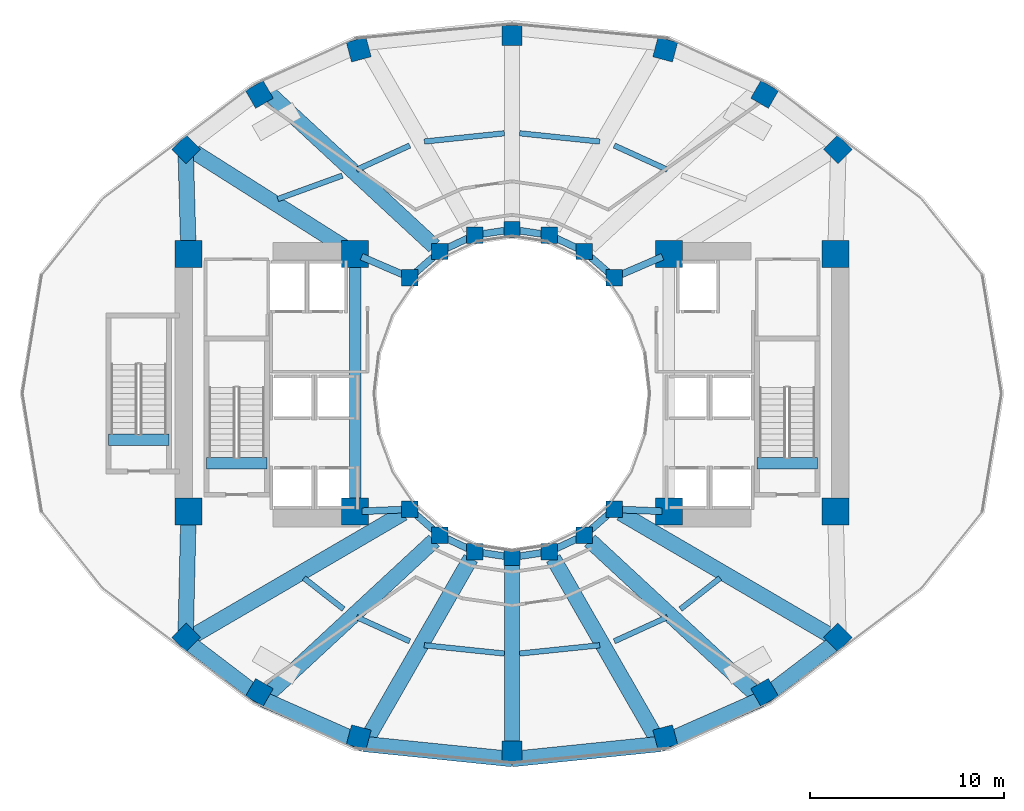
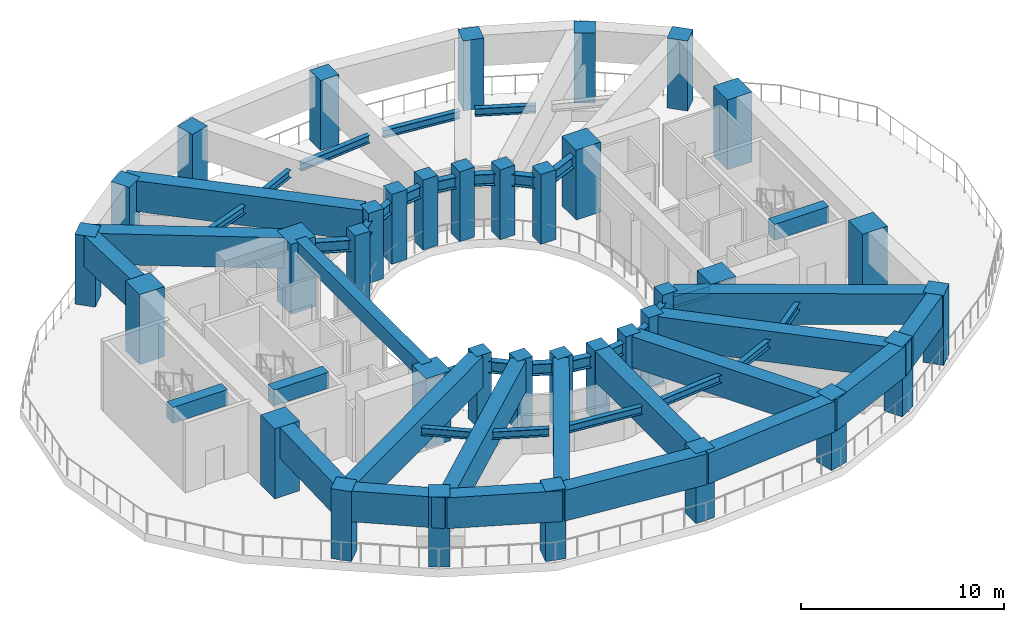
# One storey, part 1 of 10: 48 beams, 36 columns.
"""IFC4 building model written with IfcOpenShell, lengths in metres."""

from ifc_helpers import new_model, si_unit, direction, frame, origin, origin_2d, place, context, subcontext, project, spatial, rectangle, i_section, extrude, material, material_profile, profile_set, type_object, element, save


model = new_model("IFC4")

# Units and contexts
model_context = context("Model", 3, precision=1e-05, world=origin(), true_north=direction((0.0, 1.0)))
body_context = subcontext(model_context, "Body", "Model", "MODEL_VIEW")
ifc_project = project(units=[si_unit("LENGTHUNIT", "METRE"), si_unit("AREAUNIT", "SQUARE_METRE"), si_unit("VOLUMEUNIT", "CUBIC_METRE"), si_unit("PLANEANGLEUNIT", "RADIAN"), si_unit("MASSUNIT", "GRAM", prefix="KILO")], contexts=[model_context])

# Site, building, storey
site_placement = place(None, origin())
site = spatial("IfcSite", under=ifc_project, at=site_placement, CompositionType="ELEMENT")
building_placement = place(site_placement, origin())
building = spatial("IfcBuilding", under=site, at=building_placement, Name="Solvane Sanctuary Tower", CompositionType="ELEMENT")
storey_placement = place(building_placement, frame((0.0, 0.0, 69.0)))
storey = spatial("IfcBuildingStorey", under=building, at=storey_placement, Name="L20", CompositionType="ELEMENT", Elevation=69.0)

# Columns
ifc_material_1 = material(Name="Concrete C70/85", Category="concrete")
ifc_material_profile_1 = material_profile(ifc_material_1, rectangle(XDim=1.39990234375, YDim=1.39990234375, at=origin_2d()), Name="RC1400X1400")
ifc_profile_set_1 = profile_set([ifc_material_profile_1], Name="Concrete C70/85")
column_type_1 = type_object("IfcColumnType", Name="Column C-POD-INT RC1400X1400", PredefinedType="COLUMN", material=ifc_profile_set_1)
for number, where, z_axis, x_axis, name in (
    (1, (15.300048828125, 16.89990234375, 0.0), (0.0, 0.0, 1.0), (1.0, 0.0, 0.0), "L20 Core Corner Column CW1"),
    (2, (23.89990234375, 16.89990234375, 0.0), (0.0, 0.0, 1.0), (1.0, 0.0, 0.0), "L20 Core Corner Column CW2"),
    (3, (23.89990234375, 30.199951171875, 0.0), (0.0, 0.0, 1.0), (1.0, 0.0, 0.0), "L20 Core Corner Column CW3"),
    (4, (15.300048828125, 30.199951171875, 0.0), (0.0, 0.0, 1.0), (1.0, 0.0, 0.0), "L20 Core Corner Column CW4"),
    (5, (40.10009765625, 16.89990234375, 0.0), (0.0, 0.0, 1.0), (1.0, 0.0, 0.0), "L20 Core Corner Column CE1"),
    (6, (48.699951171875, 16.89990234375, 0.0), (0.0, 0.0, 1.0), (1.0, 0.0, 0.0), "L20 Core Corner Column CE2"),
    (7, (48.699951171875, 30.199951171875, 0.0), (0.0, 0.0, 1.0), (1.0, 0.0, 0.0), "L20 Core Corner Column CE3"),
    (8, (40.10009765625, 30.199951171875, 0.0), (0.0, 0.0, 1.0), (1.0, 0.0, 0.0), "L20 Core Corner Column CE4"),
):
    element("IfcColumn", number, at=place(storey_placement, frame(where, z_axis=z_axis, x_axis=x_axis)), inside=storey, type_object=column_type_1, Name=name, PredefinedType="COLUMN", context=body_context, shape_type="SweptSolid", body=[
        extrude(rectangle(XDim=1.39990234375, YDim=1.39990234375, at=origin_2d()), origin(), (0.0, 0.0, 1.0), 4.199951171875),
    ])
ifc_material_2 = material(Name="Concrete C60/75", Category="concrete")
ifc_material_profile_2 = material_profile(ifc_material_2, rectangle(XDim=0.85009765625, YDim=0.85009765625, at=origin_2d()), Name="RC850X850")
ifc_profile_set_2 = profile_set([ifc_material_profile_2], Name="Concrete C60/75")
column_type_2 = type_object("IfcColumnType", Name="Column C-RING-Z2 RC850X850", PredefinedType="COLUMN", material=ifc_profile_set_2)
for number, where, z_axis, x_axis, name in (
    (9, (37.27490234375, 28.982177734375, 0.0), (0.0, 0.0, 1.0), (1.0, 0.0, 0.0), "L20 Inner Light-Well Ring Column IC01"),
    (10, (35.72998046875, 30.32666015625, 0.0), (0.0, 0.0, 1.0), (1.0, 0.0, 0.0), "L20 Inner Light-Well Ring Column IC02"),
    (11, (33.930908203125, 31.171630859375, 0.0), (0.0, 0.0, 1.0), (1.0, 0.0, 0.0), "L20 Inner Light-Well Ring Column IC03"),
    (12, (32.0, 31.4599609375, 0.0), (0.0, 0.0, 1.0), (1.0, 0.0, 0.0), "L20 Inner Light-Well Ring Column IC04"),
    (13, (30.069091796875, 31.171630859375, 0.0), (0.0, 0.0, 1.0), (1.0, 0.0, 0.0), "L20 Inner Light-Well Ring Column IC05"),
    (14, (28.27001953125, 30.32666015625, 0.0), (0.0, 0.0, 1.0), (1.0, 0.0, 0.0), "L20 Inner Light-Well Ring Column IC06"),
    (15, (26.72509765625, 28.982177734375, 0.0), (0.0, 0.0, 1.0), (1.0, 0.0, 0.0), "L20 Inner Light-Well Ring Column IC07"),
    (16, (26.72509765625, 17.017822265625, 0.0), (0.0, 0.0, 1.0), (1.0, 0.0, 0.0), "L20 Inner Light-Well Ring Column IC08"),
    (17, (28.27001953125, 15.67333984375, 0.0), (0.0, 0.0, 1.0), (1.0, 0.0, 0.0), "L20 Inner Light-Well Ring Column IC09"),
    (18, (30.069091796875, 14.828369140625, 0.0), (0.0, 0.0, 1.0), (1.0, 0.0, 0.0), "L20 Inner Light-Well Ring Column IC10"),
    (19, (32.0, 14.5400390625, 0.0), (0.0, 0.0, 1.0), (1.0, 0.0, 0.0), "L20 Inner Light-Well Ring Column IC11"),
    (20, (33.930908203125, 14.828369140625, 0.0), (0.0, 0.0, 1.0), (1.0, 0.0, 0.0), "L20 Inner Light-Well Ring Column IC12"),
    (21, (35.72998046875, 15.67333984375, 0.0), (0.0, 0.0, 1.0), (1.0, 0.0, 0.0), "L20 Inner Light-Well Ring Column IC13"),
    (22, (37.27490234375, 17.017822265625, 0.0), (0.0, 0.0, 1.0), (1.0, 0.0, 0.0), "L20 Inner Light-Well Ring Column IC14"),
):
    element("IfcColumn", number, at=place(storey_placement, frame(where, z_axis=z_axis, x_axis=x_axis)), inside=storey, type_object=column_type_2, Name=name, PredefinedType="COLUMN", context=body_context, shape_type="SweptSolid", body=[
        extrude(rectangle(XDim=0.85009765625, YDim=0.85009765625, at=origin_2d()), origin(), (0.0, 0.0, 1.0), 4.199951171875),
    ])
ifc_material_profile_3 = material_profile(ifc_material_2, rectangle(XDim=1.050048828125, YDim=1.050048828125, at=origin_2d()), Name="RC1050X1050")
ifc_profile_set_3 = profile_set([ifc_material_profile_3], Name="Concrete C60/75")
column_type_3 = type_object("IfcColumnType", Name="Column C-TUBE-Z2 RC1050X1050", PredefinedType="COLUMN", material=ifc_profile_set_3)
for number, where, z_axis, x_axis, name in (
    (23, (48.8251953125, 35.598388671875, 0.0), (0.0, 0.0, 1.0), (0.707106781187, 0.707106781187, 0.0), "L20 Perimeter Tube Column TC01"),
    (24, (45.04150390625, 38.43408203125, 0.0), (0.0, 0.0, 1.0), (0.5, 0.866025403784, 0.0), "L20 Perimeter Tube Column TC02"),
    (25, (39.91162109375, 40.751708984375, 0.0), (0.0, 0.0, 1.0), (0.258819045103, 0.965925826289, 0.0), "L20 Perimeter Tube Column TC03"),
    (26, (32.0, 41.47998046875, 0.0), (0.0, 0.0, 1.0), (0.0, 1.0, 0.0), "L20 Perimeter Tube Column TC04"),
    (27, (24.08837890625, 40.751708984375, 0.0), (0.0, 0.0, 1.0), (-0.258819045103, 0.965925826289, 0.0), "L20 Perimeter Tube Column TC05"),
    (28, (18.95849609375, 38.43408203125, 0.0), (0.0, 0.0, 1.0), (-0.5, 0.866025403784, 0.0), "L20 Perimeter Tube Column TC06"),
    (29, (15.1748046875, 35.598388671875, 0.0), (0.0, 0.0, 1.0), (-0.707106781187, 0.707106781187, 0.0), "L20 Perimeter Tube Column TC07"),
    (30, (15.1748046875, 10.401611328125, 0.0), (0.0, 0.0, 1.0), (-0.707106781187, -0.707106781187, 0.0), "L20 Perimeter Tube Column TC08"),
    (31, (18.95849609375, 7.56591796875, 0.0), (0.0, 0.0, 1.0), (-0.5, -0.866025403784, 0.0), "L20 Perimeter Tube Column TC09"),
    (32, (24.08837890625, 5.248291015625, 0.0), (0.0, 0.0, 1.0), (-0.258819045103, -0.965925826289, 0.0), "L20 Perimeter Tube Column TC10"),
    (33, (32.0, 4.52001953125, 0.0), (0.0, 0.0, 1.0), (0.0, -1.0, 0.0), "L20 Perimeter Tube Column TC11"),
    (34, (39.91162109375, 5.248291015625, 0.0), (0.0, 0.0, 1.0), (0.258819045103, -0.965925826289, 0.0), "L20 Perimeter Tube Column TC12"),
    (35, (45.04150390625, 7.56591796875, 0.0), (0.0, 0.0, 1.0), (0.5, -0.866025403784, 0.0), "L20 Perimeter Tube Column TC13"),
    (36, (48.8251953125, 10.401611328125, 0.0), (0.0, 0.0, 1.0), (0.707106781187, -0.707106781187, 0.0), "L20 Perimeter Tube Column TC14"),
):
    element("IfcColumn", number, at=place(storey_placement, frame(where, z_axis=z_axis, x_axis=x_axis)), inside=storey, type_object=column_type_3, Name=name, PredefinedType="COLUMN", context=body_context, shape_type="SweptSolid", body=[
        extrude(rectangle(XDim=1.050048828125, YDim=1.050048828125, at=origin_2d()), origin(), (0.0, 0.0, 1.0), 4.199951171875),
    ])

# Beams
ifc_material_profile_4 = material_profile(ifc_material_1, rectangle(XDim=0.60009765625, YDim=0.949951171875, at=origin_2d()), Name="RC600X950")
ifc_profile_set_4 = profile_set([ifc_material_profile_4], Name="Concrete C70/85")
beam_type_1 = type_object("IfcBeamType", Name="Beam B-COUPLE RC600X950", PredefinedType="LINTEL", material=ifc_profile_set_4)
beam_1_placement = place(storey_placement, frame((23.89990234375, 17.35009765625, 3.72509765625), z_axis=(0.0, 1.0, 0.0), x_axis=(-1.0, 0.0, 0.0)))
element("IfcBeam", 37, at=beam_1_placement, inside=storey, type_object=beam_type_1, Name="L20 West Core Coupling Lintel", PredefinedType="LINTEL", context=body_context, shape_type="SweptSolid", body=[
    extrude(rectangle(XDim=0.60009765625, YDim=0.949951171875, at=origin_2d()), origin(), (0.0, 0.0, 1.0), 12.39990234375),
])
for number, where, z_axis, x_axis, name in (
    (38, (16.22998046875, 19.399169921875, 3.72509765625), (1.0, 0.0, 0.0), (0.0, 1.0, 0.0), "L20 ST-1 Stair Floor Landing Trimmer"),
    (39, (44.64990234375, 19.399169921875, 3.72509765625), (1.0, 0.0, 0.0), (0.0, 1.0, 0.0), "L20 ST-2 Stair Floor Landing Trimmer"),
    (40, (11.169921875, 20.59912109375, 3.72509765625), (1.0, 0.0, 0.0), (0.0, 1.0, 0.0), "L20 ST-3 Stair Floor Landing Trimmer"),
):
    element("IfcBeam", number, at=place(storey_placement, frame(where, z_axis=z_axis, x_axis=x_axis)), inside=storey, type_object=beam_type_1, Name=name, PredefinedType="LINTEL", context=body_context, shape_type="SweptSolid", body=[
        extrude(rectangle(XDim=0.60009765625, YDim=0.949951171875, at=origin_2d()), origin(), (0.0, 0.0, 1.0), 3.1201171875),
    ])
ifc_material_3 = material(Name="Steel ASTM A992 Grade 50", Category="steel")
ifc_material_profile_5 = material_profile(ifc_material_3, i_section(OverallWidth=0.35498046875, OverallDepth=0.695068359375, WebThickness=0.015380859375, FlangeThickness=0.02490234375, FilletRadius=0.01806640625, at=origin_2d()), Name="W27X146")
ifc_profile_set_5 = profile_set([ifc_material_profile_5], Name="Steel ASTM A992 Grade 50")
beam_type_2 = type_object("IfcBeamType", Name="Beam B-RING-IN1 W27X146", PredefinedType="BEAM", material=ifc_profile_set_5)
beam_2_placement = place(storey_placement, frame((24.230712890625, 30.0576171875, 3.3505859375), z_axis=(0.918261456479, -0.3959746173, 0.0), x_axis=(0.3959746173, 0.918261456479, 0.0)))
element("IfcBeam", 41, at=beam_2_placement, inside=storey, type_object=beam_type_2, Name="L20 Inner Light-Well Ring Beam CW3-IC07", PredefinedType="BEAM", context=body_context, shape_type="SweptSolid", body=[
    extrude(i_section(OverallWidth=0.35498046875, OverallDepth=0.695068359375, WebThickness=0.015380859375, FlangeThickness=0.02490234375, FilletRadius=0.01806640625, at=origin_2d()), origin(), (0.0, 0.0, 1.0), 2.3212890625),
])
beam_3_placement = place(storey_placement, frame((27.02294921875, 29.241455078125, 3.3505859375), z_axis=(0.754317177099, 0.656510164684, 0.0), x_axis=(-0.656510164684, 0.754317177099, 0.0)))
element("IfcBeam", 42, at=beam_3_placement, inside=storey, type_object=beam_type_2, Name="L20 Inner Light-Well Ring Beam IC07-IC06", PredefinedType="BEAM", context=body_context, shape_type="SweptSolid", body=[
    extrude(i_section(OverallWidth=0.35498046875, OverallDepth=0.695068359375, WebThickness=0.015380859375, FlangeThickness=0.02490234375, FilletRadius=0.01806640625, at=origin_2d()), origin(), (0.0, 0.0, 1.0), 1.258056640625),
])
beam_4_placement = place(storey_placement, frame((28.62744140625, 30.494384765625, 3.3505859375), z_axis=(0.905044882818, 0.425316070804, 0.0), x_axis=(-0.425316070804, 0.905044882818, 0.0)))
element("IfcBeam", 43, at=beam_4_placement, inside=storey, type_object=beam_type_2, Name="L20 Inner Light-Well Ring Beam IC06-IC05", PredefinedType="BEAM", context=body_context, shape_type="SweptSolid", body=[
    extrude(i_section(OverallWidth=0.35498046875, OverallDepth=0.695068359375, WebThickness=0.015380859375, FlangeThickness=0.02490234375, FilletRadius=0.01806640625, at=origin_2d()), origin(), (0.0, 0.0, 1.0), 1.197998046875),
])
for number, where, z_axis, x_axis, name in (
    (44, (30.4599609375, 31.22998046875, 3.3505859375), (0.989034751611, 0.147682971619, 0.0), (-0.147682971619, 0.989034751611, 0.0), "L20 Inner Light-Well Ring Beam IC05-IC04"),
    (45, (32.390625, 31.401611328125, 3.3505859375), (0.989034751611, -0.147682971619, 0.0), (0.147682971619, 0.989034751611, 0.0), "L20 Inner Light-Well Ring Beam IC04-IC03"),
):
    element("IfcBeam", number, at=place(storey_placement, frame(where, z_axis=z_axis, x_axis=x_axis)), inside=storey, type_object=beam_type_2, Name=name, PredefinedType="BEAM", context=body_context, shape_type="SweptSolid", body=[
        extrude(i_section(OverallWidth=0.35498046875, OverallDepth=0.695068359375, WebThickness=0.015380859375, FlangeThickness=0.02490234375, FilletRadius=0.01806640625, at=origin_2d()), origin(), (0.0, 0.0, 1.0), 1.162109375),
    ])
beam_5_placement = place(storey_placement, frame((34.288330078125, 31.00390625, 3.3505859375), z_axis=(0.905044882818, -0.425316070804, 0.0), x_axis=(0.425316070804, 0.905044882818, 0.0)))
element("IfcBeam", 46, at=beam_5_placement, inside=storey, type_object=beam_type_2, Name="L20 Inner Light-Well Ring Beam IC03-IC02", PredefinedType="BEAM", context=body_context, shape_type="SweptSolid", body=[
    extrude(i_section(OverallWidth=0.35498046875, OverallDepth=0.695068359375, WebThickness=0.015380859375, FlangeThickness=0.02490234375, FilletRadius=0.01806640625, at=origin_2d()), origin(), (0.0, 0.0, 1.0), 1.197998046875),
])
beam_6_placement = place(storey_placement, frame((36.028076171875, 30.0673828125, 3.3505859375), z_axis=(0.754317177099, -0.656510164684, 0.0), x_axis=(0.656510164684, 0.754317177099, 0.0)))
element("IfcBeam", 47, at=beam_6_placement, inside=storey, type_object=beam_type_2, Name="L20 Inner Light-Well Ring Beam IC02-IC01", PredefinedType="BEAM", context=body_context, shape_type="SweptSolid", body=[
    extrude(i_section(OverallWidth=0.35498046875, OverallDepth=0.695068359375, WebThickness=0.015380859375, FlangeThickness=0.02490234375, FilletRadius=0.01806640625, at=origin_2d()), origin(), (0.0, 0.0, 1.0), 1.258056640625),
])
beam_7_placement = place(storey_placement, frame((37.6376953125, 29.138427734375, 3.3505859375), z_axis=(0.918261456479, 0.3959746173, 0.0), x_axis=(-0.3959746173, 0.918261456479, 0.0)))
element("IfcBeam", 48, at=beam_7_placement, inside=storey, type_object=beam_type_2, Name="L20 Inner Light-Well Ring Beam IC01-CE4", PredefinedType="BEAM", context=body_context, shape_type="SweptSolid", body=[
    extrude(i_section(OverallWidth=0.35498046875, OverallDepth=0.695068359375, WebThickness=0.015380859375, FlangeThickness=0.02490234375, FilletRadius=0.01806640625, at=origin_2d()), origin(), (0.0, 0.0, 1.0), 2.3212890625),
])
beam_8_placement = place(storey_placement, frame((24.259765625, 16.9150390625, 3.3505859375), z_axis=(0.999130007788, 0.041704047018, 0.0), x_axis=(-0.041704047018, 0.999130007788, 0.0)))
element("IfcBeam", 49, at=beam_8_placement, inside=storey, type_object=beam_type_2, Name="L20 Inner Light-Well Ring Beam CW2-IC08", PredefinedType="BEAM", context=body_context, shape_type="SweptSolid", body=[
    extrude(i_section(OverallWidth=0.35498046875, OverallDepth=0.695068359375, WebThickness=0.015380859375, FlangeThickness=0.02490234375, FilletRadius=0.01806640625, at=origin_2d()), origin(), (0.0, 0.0, 1.0), 2.072265625),
])
beam_9_placement = place(storey_placement, frame((27.02294921875, 16.758544921875, 3.3505859375), z_axis=(0.754317177099, -0.656510164684, 0.0), x_axis=(0.656510164684, 0.754317177099, 0.0)))
element("IfcBeam", 50, at=beam_9_placement, inside=storey, type_object=beam_type_2, Name="L20 Inner Light-Well Ring Beam IC08-IC09", PredefinedType="BEAM", context=body_context, shape_type="SweptSolid", body=[
    extrude(i_section(OverallWidth=0.35498046875, OverallDepth=0.695068359375, WebThickness=0.015380859375, FlangeThickness=0.02490234375, FilletRadius=0.01806640625, at=origin_2d()), origin(), (0.0, 0.0, 1.0), 1.258056640625),
])
beam_10_placement = place(storey_placement, frame((28.62744140625, 15.505615234375, 3.3505859375), z_axis=(0.905044882818, -0.425316070804, 0.0), x_axis=(0.425316070804, 0.905044882818, 0.0)))
element("IfcBeam", 51, at=beam_10_placement, inside=storey, type_object=beam_type_2, Name="L20 Inner Light-Well Ring Beam IC09-IC10", PredefinedType="BEAM", context=body_context, shape_type="SweptSolid", body=[
    extrude(i_section(OverallWidth=0.35498046875, OverallDepth=0.695068359375, WebThickness=0.015380859375, FlangeThickness=0.02490234375, FilletRadius=0.01806640625, at=origin_2d()), origin(), (0.0, 0.0, 1.0), 1.197998046875),
])
for number, where, z_axis, x_axis, name in (
    (52, (30.4599609375, 14.77001953125, 3.3505859375), (0.989034751611, -0.147682971619, 0.0), (0.147682971619, 0.989034751611, 0.0), "L20 Inner Light-Well Ring Beam IC10-IC11"),
    (53, (32.390625, 14.598388671875, 3.3505859375), (0.989034751611, 0.147682971619, 0.0), (-0.147682971619, 0.989034751611, 0.0), "L20 Inner Light-Well Ring Beam IC11-IC12"),
):
    element("IfcBeam", number, at=place(storey_placement, frame(where, z_axis=z_axis, x_axis=x_axis)), inside=storey, type_object=beam_type_2, Name=name, PredefinedType="BEAM", context=body_context, shape_type="SweptSolid", body=[
        extrude(i_section(OverallWidth=0.35498046875, OverallDepth=0.695068359375, WebThickness=0.015380859375, FlangeThickness=0.02490234375, FilletRadius=0.01806640625, at=origin_2d()), origin(), (0.0, 0.0, 1.0), 1.162109375),
    ])
beam_11_placement = place(storey_placement, frame((34.288330078125, 14.99609375, 3.3505859375), z_axis=(0.905044882818, 0.425316070804, 0.0), x_axis=(-0.425316070804, 0.905044882818, 0.0)))
element("IfcBeam", 54, at=beam_11_placement, inside=storey, type_object=beam_type_2, Name="L20 Inner Light-Well Ring Beam IC12-IC13", PredefinedType="BEAM", context=body_context, shape_type="SweptSolid", body=[
    extrude(i_section(OverallWidth=0.35498046875, OverallDepth=0.695068359375, WebThickness=0.015380859375, FlangeThickness=0.02490234375, FilletRadius=0.01806640625, at=origin_2d()), origin(), (0.0, 0.0, 1.0), 1.197998046875),
])
beam_12_placement = place(storey_placement, frame((36.028076171875, 15.9326171875, 3.3505859375), z_axis=(0.754317177099, 0.656510164684, 0.0), x_axis=(-0.656510164684, 0.754317177099, 0.0)))
element("IfcBeam", 55, at=beam_12_placement, inside=storey, type_object=beam_type_2, Name="L20 Inner Light-Well Ring Beam IC13-IC14", PredefinedType="BEAM", context=body_context, shape_type="SweptSolid", body=[
    extrude(i_section(OverallWidth=0.35498046875, OverallDepth=0.695068359375, WebThickness=0.015380859375, FlangeThickness=0.02490234375, FilletRadius=0.01806640625, at=origin_2d()), origin(), (0.0, 0.0, 1.0), 1.258056640625),
])
beam_13_placement = place(storey_placement, frame((37.669677734375, 17.00146484375, 3.3505859375), z_axis=(0.999130007788, -0.041704047018, 0.0), x_axis=(0.041704047018, 0.999130007788, 0.0)))
element("IfcBeam", 56, at=beam_13_placement, inside=storey, type_object=beam_type_2, Name="L20 Inner Light-Well Ring Beam IC14-CE1", PredefinedType="BEAM", context=body_context, shape_type="SweptSolid", body=[
    extrude(i_section(OverallWidth=0.35498046875, OverallDepth=0.695068359375, WebThickness=0.015380859375, FlangeThickness=0.02490234375, FilletRadius=0.01806640625, at=origin_2d()), origin(), (0.0, 0.0, 1.0), 2.072265625),
])
ifc_material_profile_6 = material_profile(ifc_material_3, i_section(OverallWidth=0.280029296875, OverallDepth=0.462890625, WebThickness=0.0107421875, FlangeThickness=0.017333984375, FilletRadius=0.013916015625, at=origin_2d()), Name="W18X76")
ifc_profile_set_6 = profile_set([ifc_material_profile_6], Name="Steel ASTM A992 Grade 50")
beam_type_3 = type_object("IfcBeamType", Name="Beam B-SEC-JOIST W18X76", PredefinedType="JOIST", material=ifc_profile_set_6)
beam_14_placement = place(storey_placement, frame((19.90869140625, 33.0341796875, 3.466552734375), z_axis=(0.939885819985, 0.341488865693, 0.0), x_axis=(-0.341488865693, 0.939885819985, 0.0)))
element("IfcBeam", 57, at=beam_14_placement, inside=storey, type_object=beam_type_3, Name="L20 Secondary Circumferential Joist 07-06", PredefinedType="JOIST", context=body_context, shape_type="SweptSolid", body=[
    extrude(i_section(OverallWidth=0.280029296875, OverallDepth=0.462890625, WebThickness=0.0107421875, FlangeThickness=0.017333984375, FilletRadius=0.013916015625, at=origin_2d()), origin(), (0.0, 0.0, 1.0), 3.54736328125),
])
beam_15_placement = place(storey_placement, frame((23.973388671875, 34.54443359375, 3.466552734375), z_axis=(0.909717227811, 0.415228329266, 0.0), x_axis=(-0.415228329266, 0.909717227811, 0.0)))
element("IfcBeam", 58, at=beam_15_placement, inside=storey, type_object=beam_type_3, Name="L20 Secondary Circumferential Joist 06-05", PredefinedType="JOIST", context=body_context, shape_type="SweptSolid", body=[
    extrude(i_section(OverallWidth=0.280029296875, OverallDepth=0.462890625, WebThickness=0.0107421875, FlangeThickness=0.017333984375, FilletRadius=0.013916015625, at=origin_2d()), origin(), (0.0, 0.0, 1.0), 3.0185546875),
])
for number, where, z_axis, x_axis, name in (
    (59, (27.4716796875, 36.00244140625, 3.466552734375), (0.994711672021, 0.102706813529, 0.0), (-0.102706813529, 0.994711672021, 0.0), "L20 Secondary Circumferential Joist 05-04"),
    (60, (32.392822265625, 36.429443359375, 3.466552734375), (0.994711672021, -0.102706813529, 0.0), (0.102706813529, 0.994711672021, 0.0), "L20 Secondary Circumferential Joist 04-03"),
):
    element("IfcBeam", number, at=place(storey_placement, frame(where, z_axis=z_axis, x_axis=x_axis)), inside=storey, type_object=beam_type_3, Name=name, PredefinedType="JOIST", context=body_context, shape_type="SweptSolid", body=[
        extrude(i_section(OverallWidth=0.280029296875, OverallDepth=0.462890625, WebThickness=0.0107421875, FlangeThickness=0.017333984375, FilletRadius=0.013916015625, at=origin_2d()), origin(), (0.0, 0.0, 1.0), 4.157470703125),
    ])
beam_16_placement = place(storey_placement, frame((37.280517578125, 35.7978515625, 3.466552734375), z_axis=(0.909717227811, -0.415228329266, 0.0), x_axis=(0.415228329266, 0.909717227811, 0.0)))
element("IfcBeam", 61, at=beam_16_placement, inside=storey, type_object=beam_type_3, Name="L20 Secondary Circumferential Joist 03-02", PredefinedType="JOIST", context=body_context, shape_type="SweptSolid", body=[
    extrude(i_section(OverallWidth=0.280029296875, OverallDepth=0.462890625, WebThickness=0.0107421875, FlangeThickness=0.017333984375, FilletRadius=0.013916015625, at=origin_2d()), origin(), (0.0, 0.0, 1.0), 3.0185546875),
])
beam_17_placement = place(storey_placement, frame((21.2607421875, 13.4658203125, 3.466552734375), z_axis=(0.786778202629, -0.617235821926, 0.0), x_axis=(0.617235821926, 0.786778202629, 0.0)))
element("IfcBeam", 62, at=beam_17_placement, inside=storey, type_object=beam_type_3, Name="L20 Secondary Circumferential Joist 08-09", PredefinedType="JOIST", context=body_context, shape_type="SweptSolid", body=[
    extrude(i_section(OverallWidth=0.280029296875, OverallDepth=0.462890625, WebThickness=0.0107421875, FlangeThickness=0.017333984375, FilletRadius=0.013916015625, at=origin_2d()), origin(), (0.0, 0.0, 1.0), 2.596435546875),
])
beam_18_placement = place(storey_placement, frame((23.973388671875, 11.45556640625, 3.466552734375), z_axis=(0.909717227811, -0.415228329266, 0.0), x_axis=(0.415228329266, 0.909717227811, 0.0)))
element("IfcBeam", 63, at=beam_18_placement, inside=storey, type_object=beam_type_3, Name="L20 Secondary Circumferential Joist 09-10", PredefinedType="JOIST", context=body_context, shape_type="SweptSolid", body=[
    extrude(i_section(OverallWidth=0.280029296875, OverallDepth=0.462890625, WebThickness=0.0107421875, FlangeThickness=0.017333984375, FilletRadius=0.013916015625, at=origin_2d()), origin(), (0.0, 0.0, 1.0), 3.0185546875),
])
for number, where, z_axis, x_axis, name in (
    (64, (27.4716796875, 9.99755859375, 3.466552734375), (0.994711672021, -0.102706813529, 0.0), (0.102706813529, 0.994711672021, 0.0), "L20 Secondary Circumferential Joist 10-11"),
    (65, (32.392822265625, 9.570556640625, 3.466552734375), (0.994711672021, 0.102706813529, 0.0), (-0.102706813529, 0.994711672021, 0.0), "L20 Secondary Circumferential Joist 11-12"),
):
    element("IfcBeam", number, at=place(storey_placement, frame(where, z_axis=z_axis, x_axis=x_axis)), inside=storey, type_object=beam_type_3, Name=name, PredefinedType="JOIST", context=body_context, shape_type="SweptSolid", body=[
        extrude(i_section(OverallWidth=0.280029296875, OverallDepth=0.462890625, WebThickness=0.0107421875, FlangeThickness=0.017333984375, FilletRadius=0.013916015625, at=origin_2d()), origin(), (0.0, 0.0, 1.0), 4.157470703125),
    ])
beam_19_placement = place(storey_placement, frame((37.280517578125, 10.2021484375, 3.466552734375), z_axis=(0.909717227811, 0.415228329266, 0.0), x_axis=(-0.415228329266, 0.909717227811, 0.0)))
element("IfcBeam", 66, at=beam_19_placement, inside=storey, type_object=beam_type_3, Name="L20 Secondary Circumferential Joist 12-13", PredefinedType="JOIST", context=body_context, shape_type="SweptSolid", body=[
    extrude(i_section(OverallWidth=0.280029296875, OverallDepth=0.462890625, WebThickness=0.0107421875, FlangeThickness=0.017333984375, FilletRadius=0.013916015625, at=origin_2d()), origin(), (0.0, 0.0, 1.0), 3.0185546875),
])
beam_20_placement = place(storey_placement, frame((40.696533203125, 11.86328125, 3.466552734375), z_axis=(0.786778202629, 0.617235821926, 0.0), x_axis=(-0.617235821926, 0.786778202629, 0.0)))
element("IfcBeam", 67, at=beam_20_placement, inside=storey, type_object=beam_type_3, Name="L20 Secondary Circumferential Joist 13-14", PredefinedType="JOIST", context=body_context, shape_type="SweptSolid", body=[
    extrude(i_section(OverallWidth=0.280029296875, OverallDepth=0.462890625, WebThickness=0.0107421875, FlangeThickness=0.017333984375, FilletRadius=0.013916015625, at=origin_2d()), origin(), (0.0, 0.0, 1.0), 2.596435546875),
])
ifc_material_profile_7 = material_profile(ifc_material_1, rectangle(XDim=0.800048828125, YDim=1.85009765625, at=origin_2d()), Name="RC800X1850")
ifc_profile_set_7 = profile_set([ifc_material_profile_7], Name="Concrete C70/85")
beam_type_4 = type_object("IfcBeamType", Name="Beam B-XFER-BLK RC800X1850", PredefinedType="BEAM", material=ifc_profile_set_7)
beam_21_placement = place(storey_placement, frame((27.980224609375, 30.59521484375, 3.27490234375), z_axis=(-0.733470698512, 0.679721071046, 0.0), x_axis=(-0.679721071046, -0.733470698512, 0.0)))
element("IfcBeam", 68, at=beam_21_placement, inside=storey, type_object=beam_type_4, Name="L20 Block-Shift Radial Transfer Girder 06A", PredefinedType="BEAM", context=body_context, shape_type="SweptSolid", body=[
    extrude(rectangle(XDim=0.800048828125, YDim=1.85009765625, at=origin_2d()), origin(), (0.0, 0.0, 1.0), 12.05029296875),
])
beam_22_placement = place(storey_placement, frame((23.595947265625, 30.392578125, 3.27490234375), z_axis=(-0.844849604548, 0.535003874467, 0.0), x_axis=(-0.535003874467, -0.844849604548, 0.0)))
element("IfcBeam", 69, at=beam_22_placement, inside=storey, type_object=beam_type_4, Name="L20 Block-Shift Radial Transfer Girder 07A", PredefinedType="BEAM", context=body_context, shape_type="SweptSolid", body=[
    extrude(rectangle(XDim=0.800048828125, YDim=1.85009765625, at=origin_2d()), origin(), (0.0, 0.0, 1.0), 10.00048828125),
])
beam_23_placement = place(storey_placement, frame((26.3837890625, 16.818603515625, 3.27490234375), z_axis=(-0.863554250632, -0.504255943162, 0.0), x_axis=(0.504255943162, -0.863554250632, 0.0)))
element("IfcBeam", 70, at=beam_23_placement, inside=storey, type_object=beam_type_4, Name="L20 Block-Shift Radial Transfer Girder 08A", PredefinedType="BEAM", context=body_context, shape_type="SweptSolid", body=[
    extrude(rectangle(XDim=0.800048828125, YDim=1.85009765625, at=origin_2d()), origin(), (0.0, 0.0, 1.0), 13.01220703125),
])
beam_24_placement = place(storey_placement, frame((27.980224609375, 15.40478515625, 3.27490234375), z_axis=(-0.733470698512, -0.679721071046, 0.0), x_axis=(0.679721071046, -0.733470698512, 0.0)))
element("IfcBeam", 71, at=beam_24_placement, inside=storey, type_object=beam_type_4, Name="L20 Block-Shift Radial Transfer Girder 09A", PredefinedType="BEAM", context=body_context, shape_type="SweptSolid", body=[
    extrude(rectangle(XDim=0.800048828125, YDim=1.85009765625, at=origin_2d()), origin(), (0.0, 0.0, 1.0), 12.05029296875),
])
beam_25_placement = place(storey_placement, frame((29.87255859375, 14.485595703125, 3.27490234375), z_axis=(-0.497803215092, -0.867290008615, 0.0), x_axis=(0.867290008615, -0.497803215092, 0.0)))
element("IfcBeam", 72, at=beam_25_placement, inside=storey, type_object=beam_type_4, Name="L20 Block-Shift Radial Transfer Girder 10A", PredefinedType="BEAM", context=body_context, shape_type="SweptSolid", body=[
    extrude(rectangle(XDim=0.800048828125, YDim=1.85009765625, at=origin_2d()), origin(), (0.0, 0.0, 1.0), 11.052490234375),
])
beam_26_placement = place(storey_placement, frame((32.0, 14.14501953125, 3.27490234375), z_axis=(0.0, -1.0, 0.0), x_axis=(1.0, 0.0, 0.0)))
element("IfcBeam", 73, at=beam_26_placement, inside=storey, type_object=beam_type_4, Name="L20 Block-Shift Radial Transfer Girder 11A", PredefinedType="BEAM", context=body_context, shape_type="SweptSolid", body=[
    extrude(rectangle(XDim=0.800048828125, YDim=1.85009765625, at=origin_2d()), origin(), (0.0, 0.0, 1.0), 10.02490234375),
])
beam_27_placement = place(storey_placement, frame((34.12744140625, 14.485595703125, 3.27490234375), z_axis=(0.497803215092, -0.867290008615, 0.0), x_axis=(0.867290008615, 0.497803215092, 0.0)))
element("IfcBeam", 74, at=beam_27_placement, inside=storey, type_object=beam_type_4, Name="L20 Block-Shift Radial Transfer Girder 12A", PredefinedType="BEAM", context=body_context, shape_type="SweptSolid", body=[
    extrude(rectangle(XDim=0.800048828125, YDim=1.85009765625, at=origin_2d()), origin(), (0.0, 0.0, 1.0), 11.052490234375),
])
beam_28_placement = place(storey_placement, frame((36.019775390625, 15.40478515625, 3.27490234375), z_axis=(0.733470698512, -0.679721071046, 0.0), x_axis=(0.679721071046, 0.733470698512, 0.0)))
element("IfcBeam", 75, at=beam_28_placement, inside=storey, type_object=beam_type_4, Name="L20 Block-Shift Radial Transfer Girder 13A", PredefinedType="BEAM", context=body_context, shape_type="SweptSolid", body=[
    extrude(rectangle(XDim=0.800048828125, YDim=1.85009765625, at=origin_2d()), origin(), (0.0, 0.0, 1.0), 12.05029296875),
])
beam_29_placement = place(storey_placement, frame((37.6162109375, 16.818603515625, 3.27490234375), z_axis=(0.863554250632, -0.504255943162, 0.0), x_axis=(0.504255943162, 0.863554250632, 0.0)))
element("IfcBeam", 76, at=beam_29_placement, inside=storey, type_object=beam_type_4, Name="L20 Block-Shift Radial Transfer Girder 14A", PredefinedType="BEAM", context=body_context, shape_type="SweptSolid", body=[
    extrude(rectangle(XDim=0.800048828125, YDim=1.85009765625, at=origin_2d()), origin(), (0.0, 0.0, 1.0), 13.01220703125),
])
beam_30_placement = place(storey_placement, frame((15.2900390625, 30.559814453125, 3.27490234375), z_axis=(-0.027591940282, 0.999619269938, 0.0), x_axis=(-0.999619269938, -0.027591940282, 0.0)))
element("IfcBeam", 77, at=beam_30_placement, inside=storey, type_object=beam_type_4, Name="L20 Perimeter Step Transfer Ring CW4-NTC07", PredefinedType="BEAM", context=body_context, shape_type="SweptSolid", body=[
    extrude(rectangle(XDim=0.800048828125, YDim=1.85009765625, at=origin_2d()), origin(), (0.0, 0.0, 1.0), 5.18505859375),
])
beam_31_placement = place(storey_placement, frame((15.291748046875, 16.5400390625, 3.27490234375), z_axis=(-0.023036434167, -0.999734626139, 0.0), x_axis=(0.999734626139, -0.023036434167, 0.0)))
element("IfcBeam", 78, at=beam_31_placement, inside=storey, type_object=beam_type_4, Name="L20 Perimeter Step Transfer Ring CW1-NTC08", PredefinedType="BEAM", context=body_context, shape_type="SweptSolid", body=[
    extrude(rectangle(XDim=0.800048828125, YDim=1.85009765625, at=origin_2d()), origin(), (0.0, 0.0, 1.0), 6.28466796875),
])
beam_32_placement = place(storey_placement, frame((15.14697265625, 10.257080078125, 3.27490234375), z_axis=(0.795461851464, -0.606003665719, 0.0), x_axis=(0.606003665719, 0.795461851464, 0.0)))
element("IfcBeam", 79, at=beam_32_placement, inside=storey, type_object=beam_type_4, Name="L20 Perimeter Step Transfer Ring NTC08-NTC09", PredefinedType="BEAM", context=body_context, shape_type="SweptSolid", body=[
    extrude(rectangle(XDim=0.800048828125, YDim=1.85009765625, at=origin_2d()), origin(), (0.0, 0.0, 1.0), 5.021728515625),
])
beam_33_placement = place(storey_placement, frame((19.1416015625, 7.2138671875, 3.27490234375), z_axis=(0.914461816427, -0.404672196101, 0.0), x_axis=(0.404672196101, 0.914461816427, 0.0)))
element("IfcBeam", 80, at=beam_33_placement, inside=storey, type_object=beam_type_4, Name="L20 Perimeter Step Transfer Ring NTC09-NTC10", PredefinedType="BEAM", context=body_context, shape_type="SweptSolid", body=[
    extrude(rectangle(XDim=0.800048828125, YDim=1.85009765625, at=origin_2d()), origin(), (0.0, 0.0, 1.0), 5.718017578125),
])
for number, where, z_axis, x_axis, name in (
    (81, (24.37060546875, 4.89990234375, 3.27490234375), (0.994817332657, -0.101678289936, 0.0), (0.101678289936, 0.994817332657, 0.0), "L20 Perimeter Step Transfer Ring NTC10-NTC11"),
    (82, (32.0, 4.1201171875, 3.27490234375), (0.994817332657, 0.101678289936, 0.0), (-0.101678289936, 0.994817332657, 0.0), "L20 Perimeter Step Transfer Ring NTC11-NTC12"),
):
    element("IfcBeam", number, at=place(storey_placement, frame(where, z_axis=z_axis, x_axis=x_axis)), inside=storey, type_object=beam_type_4, Name=name, PredefinedType="BEAM", context=body_context, shape_type="SweptSolid", body=[
        extrude(rectangle(XDim=0.800048828125, YDim=1.85009765625, at=origin_2d()), origin(), (0.0, 0.0, 1.0), 7.669189453125),
    ])
beam_34_placement = place(storey_placement, frame((39.62939453125, 4.89990234375, 3.27490234375), z_axis=(0.914461816427, 0.404672196101, 0.0), x_axis=(-0.404672196101, 0.914461816427, 0.0)))
element("IfcBeam", 83, at=beam_34_placement, inside=storey, type_object=beam_type_4, Name="L20 Perimeter Step Transfer Ring NTC12-NTC13", PredefinedType="BEAM", context=body_context, shape_type="SweptSolid", body=[
    extrude(rectangle(XDim=0.800048828125, YDim=1.85009765625, at=origin_2d()), origin(), (0.0, 0.0, 1.0), 5.718017578125),
])
beam_35_placement = place(storey_placement, frame((44.8583984375, 7.2138671875, 3.27490234375), z_axis=(0.795461851464, 0.606003665719, 0.0), x_axis=(-0.606003665719, 0.795461851464, 0.0)))
element("IfcBeam", 84, at=beam_35_placement, inside=storey, type_object=beam_type_4, Name="L20 Perimeter Step Transfer Ring NTC13-NTC14", PredefinedType="BEAM", context=body_context, shape_type="SweptSolid", body=[
    extrude(rectangle(XDim=0.800048828125, YDim=1.85009765625, at=origin_2d()), origin(), (0.0, 0.0, 1.0), 5.021728515625),
])

save(model, "model.ifc")
